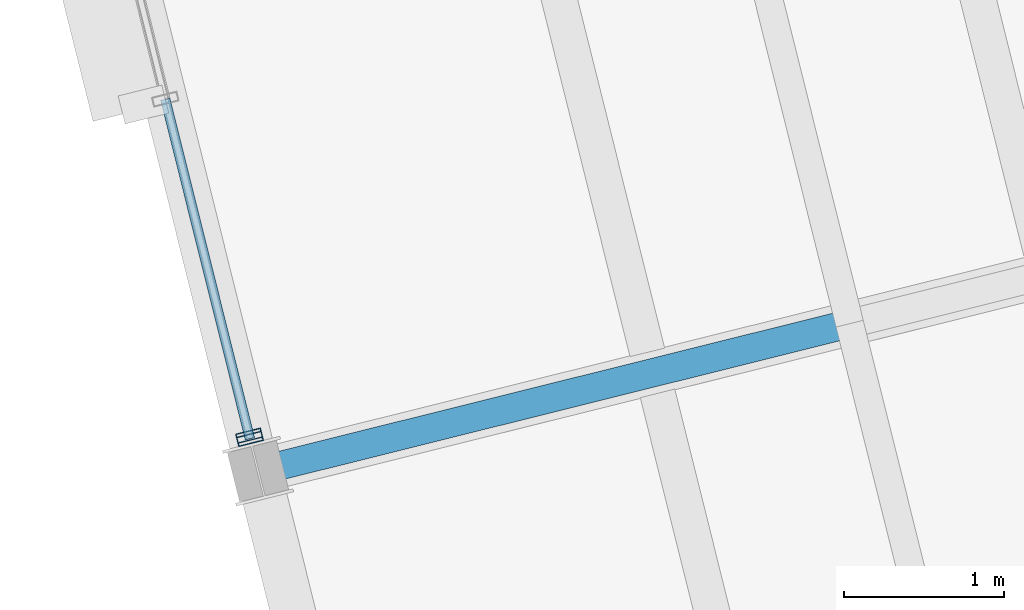
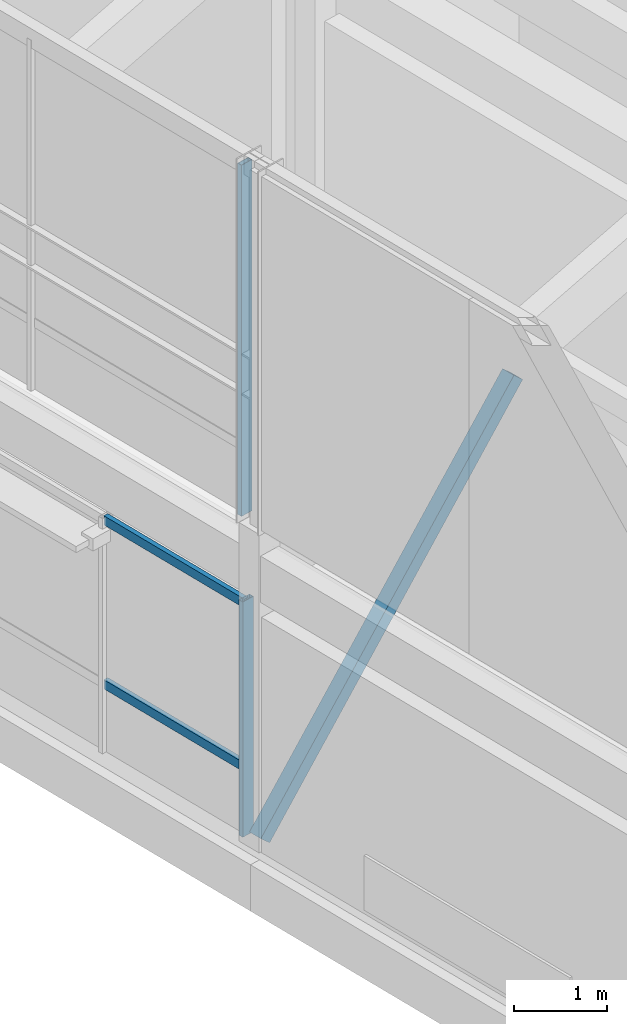
# One storey, part 3 of 31: 5 members, 2 elements without a shape of their own.
"""IFC4 building model written with IfcOpenShell, lengths in metres."""

from ifc_helpers import new_model, si_unit, direction, frame, origin, origin_2d, place, context, subcontext, project, spatial, hollow_rectangle, extrude, material, layer, layer_set, material_profile, profile_set, type_object, element, aggregate, save


model = new_model("IFC4")

# Units and contexts
model_context = context("Model", 3, precision=1e-05, world=origin(), true_north=direction((0.0, 1.0)))
body_context = subcontext(model_context, "Body", "Model", "MODEL_VIEW")
ifc_project = project(units=[si_unit("LENGTHUNIT", "METRE"), si_unit("AREAUNIT", "SQUARE_METRE"), si_unit("VOLUMEUNIT", "CUBIC_METRE"), si_unit("PLANEANGLEUNIT", "RADIAN"), si_unit("MASSUNIT", "GRAM", prefix="KILO")], contexts=[model_context])

# Site, building, storey
site_placement = place(None, origin())
site = spatial("IfcSite", under=ifc_project, at=site_placement, CompositionType="ELEMENT")
building_placement = place(site_placement, origin())
building = spatial("IfcBuilding", under=site, at=building_placement, Name="Meriwether Solvik Hall", CompositionType="ELEMENT")
storey_placement = place(building_placement, frame((0.0, 0.0, 61.199951171875)))
storey = spatial("IfcBuildingStorey", under=building, at=storey_placement, Name="L15", CompositionType="ELEMENT", Elevation=61.199951171875)

# Curtain wall, member
ifc_material_1 = material(Name="Thermally Broken Anodised Aluminium 6063-T6 and Low-E Glass", Category="aluminium")
ifc_layer_1 = layer(ifc_material_1, 0.179931640625)
ifc_layer_set_1 = layer_set([ifc_layer_1], Name="Thermally Broken Anodised Aluminium 6063-T6 and Low-E Glass")
curtain_wall_type_1 = type_object("IfcCurtainWallType", Name="CW-UNIT-C", PredefinedType="USERDEFINED", material=ifc_layer_set_1)
curtain_wall_1_placement = place(storey_placement, origin())
curtain_wall_1 = element("IfcCurtainWall", 1, at=curtain_wall_1_placement, inside=storey, type_object=curtain_wall_type_1, Name="Curtain Wall E3_B1 (L15)", ObjectType="UNITISED CURTAIN WALL", PredefinedType="USERDEFINED")
ifc_material_2 = material(Name="Anodised Aluminium 6063-T6", Category="aluminium")
ifc_material_profile_1 = material_profile(ifc_material_2, hollow_rectangle(XDim=0.06005859375, YDim=0.159912109375, WallThickness=0.00390625, at=origin_2d()), Name="CWM-60X160")
ifc_profile_set_1 = profile_set([ifc_material_profile_1], Name="Anodised Aluminium 6063-T6")
member_type_1 = type_object("IfcMemberType", Name="CW-MUL-60X160", PredefinedType="MULLION", material=ifc_profile_set_1)
member_1_placement = place(storey_placement, frame((66.90478515625, 47.999267578125, 0.0), z_axis=(0.0, 0.0, 1.0), x_axis=(-0.241921784185, 0.970295754055, 0.0)))
member_1 = element("IfcMember", 2, at=member_1_placement, type_object=member_type_1, Name="Curtain Wall Mullion 1", PredefinedType="MULLION", context=body_context, shape_type="SweptSolid", body=[
    extrude(hollow_rectangle(XDim=0.06005859375, YDim=0.159912109375, WallThickness=0.00390625, at=origin_2d()), origin(), (0.0, 0.0, 1.0), 3.10205078125),
])

ifc_material_3 = material(Name="Thermally Broken Anodised Aluminium 6063-T6 and Low-E Glass", Category="aluminium")
ifc_layer_2 = layer(ifc_material_3, 0.179931640625)
ifc_layer_set_2 = layer_set([ifc_layer_2], Name="Thermally Broken Anodised Aluminium 6063-T6 and Low-E Glass")
curtain_wall_type_2 = type_object("IfcCurtainWallType", Name="CW-CROWN-GL", PredefinedType="USERDEFINED", material=ifc_layer_set_2)
curtain_wall_2_placement = place(storey_placement, origin())
curtain_wall_2 = element("IfcCurtainWall", 3, at=curtain_wall_2_placement, inside=storey, type_object=curtain_wall_type_2, Name="Curtain Wall crown_W_3 (L15)", ObjectType="UNITISED CURTAIN WALL", PredefinedType="USERDEFINED")
member_2_placement = place(storey_placement, frame((66.899658203125, 48.019287109375, 4.219970703125), z_axis=(0.0, 0.0, 1.0), x_axis=(0.241923171709, -0.970295408105, 0.0)))
member_2 = element("IfcMember", 4, at=member_2_placement, type_object=member_type_1, Name="Curtain Wall Mullion 3", PredefinedType="MULLION", context=body_context, shape_type="SweptSolid", body=[
    extrude(hollow_rectangle(XDim=0.06005859375, YDim=0.159912109375, WallThickness=0.00390625, at=origin_2d()), origin(), (0.0, 0.0, 1.0), 4.630126953125),
])
aggregate(curtain_wall_2, [member_2])

# Member
ifc_material_4 = material(Name="Anodised Aluminium 6063-T6", Category="aluminium")
ifc_material_profile_2 = material_profile(ifc_material_4, hollow_rectangle(XDim=0.06005859375, YDim=0.1201171875, WallThickness=0.00390625, at=origin_2d()), Name="CWT-60X120")
ifc_profile_set_2 = profile_set([ifc_material_profile_2], Name="Anodised Aluminium 6063-T6")
member_type_2 = type_object("IfcMemberType", Name="CW-TRN-60X120", PredefinedType="USERDEFINED", material=ifc_profile_set_2)
member_3_placement = place(storey_placement, frame((66.90478515625, 47.999267578125, 0.880126953125), z_axis=(-0.241956533808, 0.970287089344, 0.0), x_axis=(-0.970287089344, -0.241956533808, 0.0)))
member_3 = element("IfcMember", 5, at=member_3_placement, type_object=member_type_2, Name="Curtain Wall Transom 1-sill", ObjectType="TRANSOM", PredefinedType="USERDEFINED", context=body_context, shape_type="SweptSolid", body=[
    extrude(hollow_rectangle(XDim=0.06005859375, YDim=0.1201171875, WallThickness=0.00390625, at=origin_2d()), origin(), (0.0, 0.0, 1.0), 2.1826171875),
])

member_4_placement = place(storey_placement, frame((66.90478515625, 47.999267578125, 3.0419921875), z_axis=(-0.241956533808, 0.970287089344, 0.0), x_axis=(-0.970287089344, -0.241956533808, 0.0)))
member_4 = element("IfcMember", 6, at=member_4_placement, type_object=member_type_2, Name="Curtain Wall Transom 1-head", ObjectType="TRANSOM", PredefinedType="USERDEFINED", context=body_context, shape_type="SweptSolid", body=[
    extrude(hollow_rectangle(XDim=0.06005859375, YDim=0.1201171875, WallThickness=0.00390625, at=origin_2d()), origin(), (0.0, 0.0, 1.0), 2.1826171875),
])

aggregate(curtain_wall_1, [member_1, member_3, member_4])

ifc_material_5 = material(Name="Steel A500 Grade C", Category="steel")
ifc_material_profile_3 = material_profile(ifc_material_5, hollow_rectangle(XDim=0.177978515625, YDim=0.177978515625, WallThickness=0.009521484375, at=origin_2d()), Name="HSS178X178X9.5")
ifc_profile_set_3 = profile_set([ifc_material_profile_3], Name="Steel A500 Grade C")
member_type_3 = type_object("IfcMemberType", Name="MEM-BR-HSS178", PredefinedType="BRACE", material=ifc_profile_set_3)
member_5_placement = place(storey_placement, frame((66.954833984375, 47.798095703125, 0.050048828125), z_axis=(0.645764868348, 0.160981575139, 0.746373008136), x_axis=(-0.241885553952, 0.970304786544, 0.0)))
element("IfcMember", 7, at=member_5_placement, inside=storey, type_object=member_type_3, Name="Tower Chevron Brace L15-B1A", PredefinedType="BRACE", context=body_context, shape_type="SweptSolid", body=[
    extrude(hollow_rectangle(XDim=0.177978515625, YDim=0.177978515625, WallThickness=0.009521484375, at=origin_2d()), origin(), (0.0, 0.0, 1.0), 5.7099609375),
])

save(model, "model.ifc")
